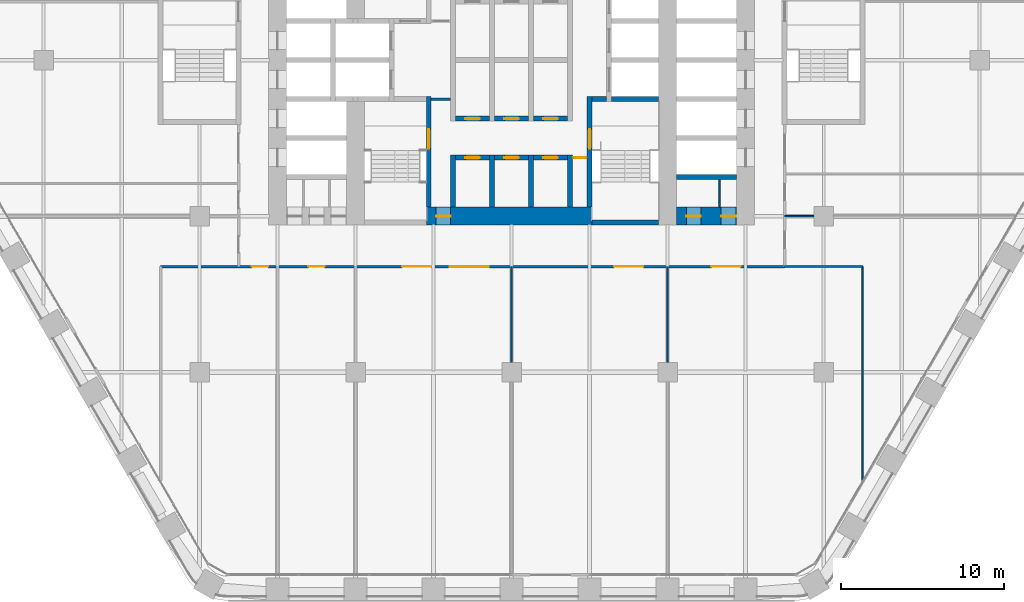
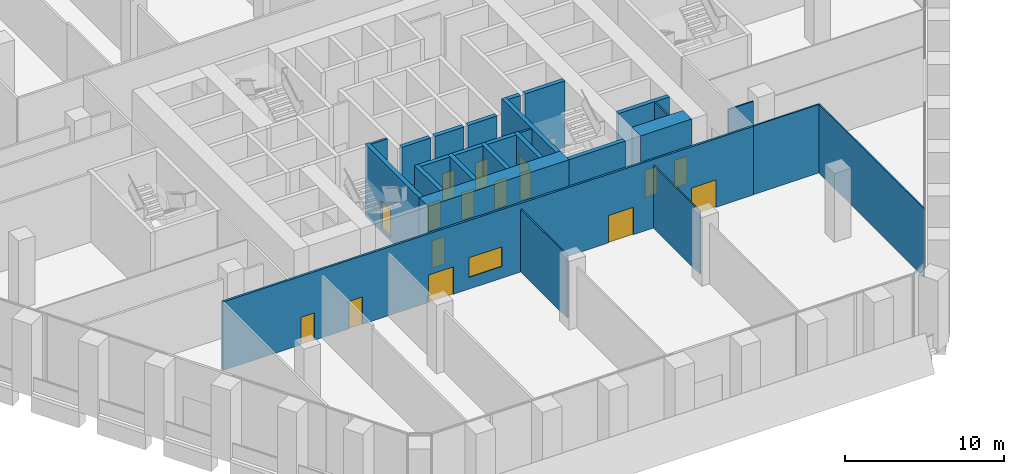
# One storey, part 18 of 29: 27 walls, 17 doors, 1 window, 18 openings.
"""IFC4 building model written with IfcOpenShell, lengths in metres."""

from ifc_helpers import new_model, si_unit, direction, frame, frame_2d, origin, place, context, subcontext, project, spatial, rectangle, extrude, material, layer, layer_set, type_object, element, fill, save


model = new_model("IFC4")

# Units and contexts
model_context = context("Model", 3, precision=1e-05, world=origin(), true_north=direction((0.0, 1.0)))
body_context = subcontext(model_context, "Body", "Model", "MODEL_VIEW")
ifc_project = project(units=[si_unit("LENGTHUNIT", "METRE"), si_unit("AREAUNIT", "SQUARE_METRE"), si_unit("VOLUMEUNIT", "CUBIC_METRE"), si_unit("PLANEANGLEUNIT", "RADIAN"), si_unit("MASSUNIT", "GRAM", prefix="KILO")], contexts=[model_context])

# Site, building, storey
site_placement = place(None, origin())
site = spatial("IfcSite", under=ifc_project, at=site_placement, CompositionType="ELEMENT")
building_placement = place(site_placement, origin())
building = spatial("IfcBuilding", under=site, at=building_placement, Name="Kolab Exchange Tower", CompositionType="ELEMENT")
storey_placement = place(building_placement, frame((0.0, 0.0, 33.39990234375)))
storey = spatial("IfcBuildingStorey", under=building, at=storey_placement, Name="L06", CompositionType="ELEMENT", Elevation=33.39990234375)

# Wall, opening, door
ifc_material_1 = material(Name="Concrete C80/95", Category="concrete")
ifc_layer_1 = layer(ifc_material_1, 1.10009765625)
ifc_layer_set_1 = layer_set([ifc_layer_1], Name="Concrete C80/95")
wall_type_1 = type_object("IfcWallType", Name="CORE WALL 1100 C80/95", PredefinedType="SHEAR", material=ifc_layer_set_1)
wall_1_placement = place(storey_placement, frame((-5.25, -9.60009765625, -0.25), z_axis=(0.0, 0.0, 1.0), x_axis=(1.0, 0.0, 0.0)))
wall_1 = element("IfcWall", 1, at=wall_1_placement, inside=storey, type_object=wall_type_1, Name="wall/L06/core/003", PredefinedType="SHEAR", context=body_context, shape_type="SweptSolid", body=[
    extrude(rectangle(XDim=10.199951171875, YDim=1.10009765625, at=frame_2d((5.10009765625, 0.0))), origin(), (0.0, 0.0, 1.0), 5.5),
])
opening_1_placement = place(wall_1_placement, frame((0.60009765625, 0.0, 0.25)))
opening_1 = element("IfcOpeningElement", 2, at=opening_1_placement, cuts=wall_1, Name="Opening D6-096", PredefinedType="OPENING", context=body_context, shape_type="SweptSolid", body=[
    extrude(rectangle(XDim=0.89990234375, YDim=2.10009765625, at=frame_2d((0.449951171875, 1.050048828125))), frame((0.0, 0.56005859375, 0.0), z_axis=(0.0, -1.0, 0.0), x_axis=(1.0, 0.0, 0.0)), (0.0, 0.0, 1.0), 1.1201171875),
])
ifc_material_2 = material(Name="Steel S235", Category="steel")
door_type_1 = type_object("IfcDoorType", Name="CORE DOOR 900 EI 120", OperationType="SINGLE_SWING_LEFT", PredefinedType="DOOR", material=ifc_material_2)
door_1_placement = place(opening_1_placement, origin())
door_1 = element("IfcDoor", 3, at=door_1_placement, inside=storey, type_object=door_type_1, Name="Core lobby door", OperationType="SINGLE_SWING_RIGHT", OverallHeight=2.10009765625, OverallWidth=0.89990234375, PredefinedType="DOOR", context=body_context, shape_type="SweptSolid", body=[
    extrude(rectangle(XDim=0.89990234375, YDim=2.10009765625, at=frame_2d((0.449951171875, 1.050048828125))), frame((0.0, 0.02490234375, 0.0), z_axis=(0.0, -1.0, 0.0), x_axis=(1.0, 0.0, 0.0)), (0.0, 0.0, 1.0), 0.050048828125),
])
fill(opening_1, door_1)

# Wall, openings, doors
wall_2_placement = place(storey_placement, frame((10.14990234375, -9.60009765625, -0.25), z_axis=(0.0, 0.0, 1.0), x_axis=(1.0, 0.0, 0.0)))
wall_2 = element("IfcWall", 4, at=wall_2_placement, inside=storey, type_object=wall_type_1, Name="wall/L06/core/004", PredefinedType="SHEAR", context=body_context, shape_type="SweptSolid", body=[
    extrude(rectangle(XDim=3.7001953125, YDim=1.10009765625, at=frame_2d((1.85009765625, 0.0))), origin(), (0.0, 0.0, 1.0), 5.5),
])
opening_2_placement = place(wall_2_placement, frame((0.60009765625, 0.0, 0.25)))
opening_2 = element("IfcOpeningElement", 5, at=opening_2_placement, cuts=wall_2, Name="Opening D6-110", PredefinedType="OPENING", context=body_context, shape_type="SweptSolid", body=[
    extrude(rectangle(XDim=0.89990234375, YDim=2.10009765625, at=frame_2d((0.449951171875, 1.050048828125))), frame((0.0, 0.56005859375, 0.0), z_axis=(0.0, -1.0, 0.0), x_axis=(1.0, 0.0, 0.0)), (0.0, 0.0, 1.0), 1.1201171875),
])
opening_3_placement = place(wall_2_placement, frame((2.75, 0.0, 0.25)))
opening_3 = element("IfcOpeningElement", 6, at=opening_3_placement, cuts=wall_2, Name="Opening D6-111", PredefinedType="OPENING", context=body_context, shape_type="SweptSolid", body=[
    extrude(rectangle(XDim=0.89990234375, YDim=2.10009765625, at=frame_2d((0.449951171875, 1.050048828125))), frame((0.0, 0.56005859375, 0.0), z_axis=(0.0, -1.0, 0.0), x_axis=(1.0, 0.0, 0.0)), (0.0, 0.0, 1.0), 1.1201171875),
])
door_2_placement = place(opening_2_placement, origin())
door_2 = element("IfcDoor", 7, at=door_2_placement, inside=storey, type_object=door_type_1, Name="Service room door", OperationType="SINGLE_SWING_RIGHT", OverallHeight=2.10009765625, OverallWidth=0.89990234375, PredefinedType="DOOR", context=body_context, shape_type="SweptSolid", body=[
    extrude(rectangle(XDim=0.89990234375, YDim=2.10009765625, at=frame_2d((0.449951171875, 1.050048828125))), frame((0.0, 0.02490234375, 0.0), z_axis=(0.0, -1.0, 0.0), x_axis=(1.0, 0.0, 0.0)), (0.0, 0.0, 1.0), 0.050048828125),
])
fill(opening_2, door_2)
door_3_placement = place(opening_3_placement, origin())
door_3 = element("IfcDoor", 8, at=door_3_placement, inside=storey, type_object=door_type_1, Name="Service room door", OperationType="SINGLE_SWING_LEFT", OverallHeight=2.10009765625, OverallWidth=0.89990234375, PredefinedType="DOOR", context=body_context, shape_type="SweptSolid", body=[
    extrude(rectangle(XDim=0.89990234375, YDim=2.10009765625, at=frame_2d((0.449951171875, 1.050048828125))), frame((0.0, 0.02490234375, 0.0), z_axis=(0.0, -1.0, 0.0), x_axis=(1.0, 0.0, 0.0)), (0.0, 0.0, 1.0), 0.050048828125),
])
fill(opening_3, door_3)

# Wall
ifc_material_3 = material(Name="Concrete C50/60", Category="concrete")
ifc_layer_2 = layer(ifc_material_3, 0.300048828125)
ifc_layer_set_2 = layer_set([ifc_layer_2], Name="Concrete C50/60")
wall_type_2 = type_object("IfcWallType", Name="LIFT SHAFT WALL 300 C50/60", PredefinedType="STANDARD", material=ifc_layer_set_2)
wall_3_placement = place(storey_placement, frame((10.14990234375, -7.199951171875, -0.25), z_axis=(0.0, 0.0, 1.0), x_axis=(1.0, 0.0, 0.0)))
element("IfcWall", 9, at=wall_3_placement, inside=storey, type_object=wall_type_2, Name="wall/L06/core/006", PredefinedType="STANDARD", context=body_context, shape_type="SweptSolid", body=[
    extrude(rectangle(XDim=3.7001953125, YDim=0.300048828125, at=frame_2d((1.85009765625, 0.0))), origin(), (0.0, 0.0, 1.0), 5.5),
])

# Wall, opening, door
wall_4_placement = place(storey_placement, frame((-3.449951171875, -6.0, -0.25), z_axis=(0.0, 0.0, 1.0), x_axis=(1.0, 0.0, 0.0)))
wall_4 = element("IfcWall", 10, at=wall_4_placement, inside=storey, type_object=wall_type_2, Name="wall/L06/core/007", PredefinedType="STANDARD", context=body_context, shape_type="SweptSolid", body=[
    extrude(rectangle(XDim=2.099853515625, YDim=0.300048828125, at=frame_2d((1.0498046875, 0.0))), origin(), (0.0, 0.0, 1.0), 5.5),
])
opening_4_placement = place(wall_4_placement, frame((0.60009765625, 0.0, 0.25)))
opening_4 = element("IfcOpeningElement", 11, at=opening_4_placement, cuts=wall_4, Name="Opening D6-095", PredefinedType="OPENING", context=body_context, shape_type="SweptSolid", body=[
    extrude(rectangle(XDim=0.89990234375, YDim=2.10009765625, at=frame_2d((0.449951171875, 1.050048828125))), frame((0.0, 0.16015625, 0.0), z_axis=(0.0, -1.0, 0.0), x_axis=(1.0, 0.0, 0.0)), (0.0, 0.0, 1.0), 0.320068359375),
])
door_4_placement = place(opening_4_placement, frame((0.89990234375, 0.0, 0.0), z_axis=(0.0, 0.0, 1.0), x_axis=(-1.0, 0.0, 0.0)))
door_4 = element("IfcDoor", 12, at=door_4_placement, inside=storey, type_object=door_type_1, Name="Service room door", OperationType="SINGLE_SWING_LEFT", OverallHeight=2.10009765625, OverallWidth=0.89990234375, PredefinedType="DOOR", context=body_context, shape_type="SweptSolid", body=[
    extrude(rectangle(XDim=0.89990234375, YDim=2.10009765625, at=frame_2d((0.449951171875, 1.050048828125))), frame((0.0, 0.02490234375, 0.0), z_axis=(0.0, -1.0, 0.0), x_axis=(1.0, 0.0, 0.0)), (0.0, 0.0, 1.0), 0.050048828125),
])
fill(opening_4, door_4)

wall_5_placement = place(storey_placement, frame((-1.050048828125, -6.0, -0.25), z_axis=(0.0, 0.0, 1.0), x_axis=(1.0, 0.0, 0.0)))
wall_5 = element("IfcWall", 13, at=wall_5_placement, inside=storey, type_object=wall_type_2, Name="wall/L06/core/008", PredefinedType="STANDARD", context=body_context, shape_type="SweptSolid", body=[
    extrude(rectangle(XDim=2.10009765625, YDim=0.300048828125, at=frame_2d((1.050048828125, 0.0))), origin(), (0.0, 0.0, 1.0), 5.5),
])
opening_5_placement = place(wall_5_placement, frame((0.60009765625, 0.0, 0.25)))
opening_5 = element("IfcOpeningElement", 14, at=opening_5_placement, cuts=wall_5, Name="Opening D6-094", PredefinedType="OPENING", context=body_context, shape_type="SweptSolid", body=[
    extrude(rectangle(XDim=0.89990234375, YDim=2.10009765625, at=frame_2d((0.449951171875, 1.050048828125))), frame((0.0, 0.16015625, 0.0), z_axis=(0.0, -1.0, 0.0), x_axis=(1.0, 0.0, 0.0)), (0.0, 0.0, 1.0), 0.320068359375),
])
door_5_placement = place(opening_5_placement, frame((0.89990234375, 0.0, 0.0), z_axis=(0.0, 0.0, 1.0), x_axis=(-1.0, 0.0, 0.0)))
door_5 = element("IfcDoor", 15, at=door_5_placement, inside=storey, type_object=door_type_1, Name="Service room door", OperationType="SINGLE_SWING_LEFT", OverallHeight=2.10009765625, OverallWidth=0.89990234375, PredefinedType="DOOR", context=body_context, shape_type="SweptSolid", body=[
    extrude(rectangle(XDim=0.89990234375, YDim=2.10009765625, at=frame_2d((0.449951171875, 1.050048828125))), frame((0.0, 0.02490234375, 0.0), z_axis=(0.0, -1.0, 0.0), x_axis=(1.0, 0.0, 0.0)), (0.0, 0.0, 1.0), 0.050048828125),
])
fill(opening_5, door_5)

wall_6_placement = place(storey_placement, frame((1.35009765625, -6.0, -0.25), z_axis=(0.0, 0.0, 1.0), x_axis=(1.0, 0.0, 0.0)))
wall_6 = element("IfcWall", 16, at=wall_6_placement, inside=storey, type_object=wall_type_2, Name="wall/L06/core/009", PredefinedType="STANDARD", context=body_context, shape_type="SweptSolid", body=[
    extrude(rectangle(XDim=2.099853515625, YDim=0.300048828125, at=frame_2d((1.0498046875, 0.0))), origin(), (0.0, 0.0, 1.0), 5.5),
])
opening_6_placement = place(wall_6_placement, frame((0.60009765625, 0.0, 0.25)))
opening_6 = element("IfcOpeningElement", 17, at=opening_6_placement, cuts=wall_6, Name="Opening D6-093", PredefinedType="OPENING", context=body_context, shape_type="SweptSolid", body=[
    extrude(rectangle(XDim=0.89990234375, YDim=2.10009765625, at=frame_2d((0.449951171875, 1.050048828125))), frame((0.0, 0.16015625, 0.0), z_axis=(0.0, -1.0, 0.0), x_axis=(1.0, 0.0, 0.0)), (0.0, 0.0, 1.0), 0.320068359375),
])
door_6_placement = place(opening_6_placement, frame((0.89990234375, 0.0, 0.0), z_axis=(0.0, 0.0, 1.0), x_axis=(-1.0, 0.0, 0.0)))
door_6 = element("IfcDoor", 18, at=door_6_placement, inside=storey, type_object=door_type_1, Name="Service room door", OperationType="SINGLE_SWING_RIGHT", OverallHeight=2.10009765625, OverallWidth=0.89990234375, PredefinedType="DOOR", context=body_context, shape_type="SweptSolid", body=[
    extrude(rectangle(XDim=0.89990234375, YDim=2.10009765625, at=frame_2d((0.449951171875, 1.050048828125))), frame((0.0, 0.02490234375, 0.0), z_axis=(0.0, -1.0, 0.0), x_axis=(1.0, 0.0, 0.0)), (0.0, 0.0, 1.0), 0.050048828125),
])
fill(opening_6, door_6)

wall_7_placement = place(storey_placement, frame((-3.449951171875, -3.60009765625, -0.25), z_axis=(0.0, 0.0, 1.0), x_axis=(1.0, 0.0, 0.0)))
wall_7 = element("IfcWall", 19, at=wall_7_placement, inside=storey, type_object=wall_type_2, Name="wall/L06/core/014", PredefinedType="STANDARD", context=body_context, shape_type="SweptSolid", body=[
    extrude(rectangle(XDim=2.099853515625, YDim=0.300048828125, at=frame_2d((1.0498046875, 0.0))), origin(), (0.0, 0.0, 1.0), 5.5),
])
opening_7_placement = place(wall_7_placement, frame((0.60009765625, 0.0, 0.25)))
opening_7 = element("IfcOpeningElement", 20, at=opening_7_placement, cuts=wall_7, Name="Opening D6-092", PredefinedType="OPENING", context=body_context, shape_type="SweptSolid", body=[
    extrude(rectangle(XDim=0.89990234375, YDim=2.10009765625, at=frame_2d((0.449951171875, 1.050048828125))), frame((0.0, 0.16015625, 0.0), z_axis=(0.0, -1.0, 0.0), x_axis=(1.0, 0.0, 0.0)), (0.0, 0.0, 1.0), 0.320068359375),
])
door_7_placement = place(opening_7_placement, origin())
door_7 = element("IfcDoor", 21, at=door_7_placement, inside=storey, type_object=door_type_1, Name="Service room door", OperationType="SINGLE_SWING_LEFT", OverallHeight=2.10009765625, OverallWidth=0.89990234375, PredefinedType="DOOR", context=body_context, shape_type="SweptSolid", body=[
    extrude(rectangle(XDim=0.89990234375, YDim=2.10009765625, at=frame_2d((0.449951171875, 1.050048828125))), frame((0.0, 0.02490234375, 0.0), z_axis=(0.0, -1.0, 0.0), x_axis=(1.0, 0.0, 0.0)), (0.0, 0.0, 1.0), 0.050048828125),
])
fill(opening_7, door_7)

wall_8_placement = place(storey_placement, frame((-1.050048828125, -3.60009765625, -0.25), z_axis=(0.0, 0.0, 1.0), x_axis=(1.0, 0.0, 0.0)))
wall_8 = element("IfcWall", 22, at=wall_8_placement, inside=storey, type_object=wall_type_2, Name="wall/L06/core/015", PredefinedType="STANDARD", context=body_context, shape_type="SweptSolid", body=[
    extrude(rectangle(XDim=2.10009765625, YDim=0.300048828125, at=frame_2d((1.050048828125, 0.0))), origin(), (0.0, 0.0, 1.0), 5.5),
])
opening_8_placement = place(wall_8_placement, frame((0.60009765625, 0.0, 0.25)))
opening_8 = element("IfcOpeningElement", 23, at=opening_8_placement, cuts=wall_8, Name="Opening D6-106", PredefinedType="OPENING", context=body_context, shape_type="SweptSolid", body=[
    extrude(rectangle(XDim=0.89990234375, YDim=2.10009765625, at=frame_2d((0.449951171875, 1.050048828125))), frame((0.0, 0.16015625, 0.0), z_axis=(0.0, -1.0, 0.0), x_axis=(1.0, 0.0, 0.0)), (0.0, 0.0, 1.0), 0.320068359375),
])
door_8_placement = place(opening_8_placement, origin())
door_8 = element("IfcDoor", 24, at=door_8_placement, inside=storey, type_object=door_type_1, Name="Service room door", OperationType="SINGLE_SWING_RIGHT", OverallHeight=2.10009765625, OverallWidth=0.89990234375, PredefinedType="DOOR", context=body_context, shape_type="SweptSolid", body=[
    extrude(rectangle(XDim=0.89990234375, YDim=2.10009765625, at=frame_2d((0.449951171875, 1.050048828125))), frame((0.0, 0.02490234375, 0.0), z_axis=(0.0, -1.0, 0.0), x_axis=(1.0, 0.0, 0.0)), (0.0, 0.0, 1.0), 0.050048828125),
])
fill(opening_8, door_8)

wall_9_placement = place(storey_placement, frame((1.35009765625, -3.60009765625, -0.25), z_axis=(0.0, 0.0, 1.0), x_axis=(1.0, 0.0, 0.0)))
wall_9 = element("IfcWall", 25, at=wall_9_placement, inside=storey, type_object=wall_type_2, Name="wall/L06/core/016", PredefinedType="STANDARD", context=body_context, shape_type="SweptSolid", body=[
    extrude(rectangle(XDim=2.099853515625, YDim=0.300048828125, at=frame_2d((1.0498046875, 0.0))), origin(), (0.0, 0.0, 1.0), 5.5),
])
opening_9_placement = place(wall_9_placement, frame((0.60009765625, 0.0, 0.25)))
opening_9 = element("IfcOpeningElement", 26, at=opening_9_placement, cuts=wall_9, Name="Opening D6-090", PredefinedType="OPENING", context=body_context, shape_type="SweptSolid", body=[
    extrude(rectangle(XDim=0.89990234375, YDim=2.10009765625, at=frame_2d((0.449951171875, 1.050048828125))), frame((0.0, 0.16015625, 0.0), z_axis=(0.0, -1.0, 0.0), x_axis=(1.0, 0.0, 0.0)), (0.0, 0.0, 1.0), 0.320068359375),
])
door_9_placement = place(opening_9_placement, origin())
door_9 = element("IfcDoor", 27, at=door_9_placement, inside=storey, type_object=door_type_1, Name="Service room door", OperationType="SINGLE_SWING_RIGHT", OverallHeight=2.10009765625, OverallWidth=0.89990234375, PredefinedType="DOOR", context=body_context, shape_type="SweptSolid", body=[
    extrude(rectangle(XDim=0.89990234375, YDim=2.10009765625, at=frame_2d((0.449951171875, 1.050048828125))), frame((0.0, 0.02490234375, 0.0), z_axis=(0.0, -1.0, 0.0), x_axis=(1.0, 0.0, 0.0)), (0.0, 0.0, 1.0), 0.050048828125),
])
fill(opening_9, door_9)

# Walls
for number, where, z_axis, x_axis, name in (
    (28, (-3.60009765625, -9.050048828125, -0.25), (0.0, 0.0, 1.0), (0.0, 1.0, 0.0), "wall/L06/core/066"),
    (29, (-1.199951171875, -9.050048828125, -0.25), (0.0, 0.0, 1.0), (0.0, 1.0, 0.0), "wall/L06/core/069"),
    (30, (1.199951171875, -9.050048828125, -0.25), (0.0, 0.0, 1.0), (0.0, 1.0, 0.0), "wall/L06/core/072"),
    (31, (3.60009765625, -9.050048828125, -0.25), (0.0, 0.0, 1.0), (0.0, 1.0, 0.0), "wall/L06/core/075"),
):
    element("IfcWall", number, at=place(storey_placement, frame(where, z_axis=z_axis, x_axis=x_axis)), inside=storey, type_object=wall_type_2, Name=name, PredefinedType="STANDARD", context=body_context, shape_type="SweptSolid", body=[
        extrude(rectangle(XDim=3.199951171875, YDim=0.300048828125, at=frame_2d((1.60009765625, 0.0))), origin(), (0.0, 0.0, 1.0), 5.5),
    ])
ifc_material_4 = material(Name="Gypsum board", Category="gypsum")
ifc_layer_3 = layer(ifc_material_4, 0.10009765625)
ifc_layer_set_3 = layer_set([ifc_layer_3], Name="Gypsum board")
wall_type_3 = type_object("IfcWallType", Name="PARTITION 100", PredefinedType="PARTITIONING", material=ifc_layer_set_3)
wall_10_placement = place(storey_placement, frame((21.60009765625, -25.8583984375, 0.0), z_axis=(0.0, 0.0, 1.0), x_axis=(0.0, 1.0, 0.0)))
element("IfcWall", 32, at=wall_10_placement, inside=storey, type_object=wall_type_3, Name="Partition 000", PredefinedType="PARTITIONING", context=body_context, shape_type="SweptSolid", body=[
    extrude(rectangle(XDim=13.158447265625, YDim=0.10009765625, at=frame_2d((6.5791015625, 0.0))), origin(), (0.0, 0.0, 1.0), 5.25),
])
wall_11_placement = place(storey_placement, frame((12.800048828125, -9.050048828125, 0.0), z_axis=(0.0, 0.0, 1.0), x_axis=(0.0, 1.0, 0.0)))
element("IfcWall", 33, at=wall_11_placement, inside=storey, type_object=wall_type_3, Name="Partition 005", PredefinedType="PARTITIONING", context=body_context, shape_type="SweptSolid", body=[
    extrude(rectangle(XDim=1.699951171875, YDim=0.10009765625, at=frame_2d((0.85009765625, 0.0))), origin(), (0.0, 0.0, 1.0), 5.25),
])
for number, where, z_axis, x_axis, name in (
    (34, (9.60009765625, -18.60009765625, 0.0), (0.0, 0.0, 1.0), (0.0, 1.0, 0.0), "Partition 007"),
    (35, (0.0, -18.60009765625, 0.0), (0.0, 0.0, 1.0), (0.0, 1.0, 0.0), "Partition 014"),
):
    element("IfcWall", number, at=place(storey_placement, frame(where, z_axis=z_axis, x_axis=x_axis)), inside=storey, type_object=wall_type_3, Name=name, PredefinedType="PARTITIONING", context=body_context, shape_type="SweptSolid", body=[
        extrude(rectangle(XDim=5.900146484375, YDim=0.10009765625, at=frame_2d((2.9501953125, 0.0))), origin(), (0.0, 0.0, 1.0), 4.793212890625),
    ])
wall_12_placement = place(storey_placement, frame((16.800048828125, -12.699951171875, 0.0), z_axis=(0.0, 0.0, 1.0), x_axis=(1.0, 0.0, 0.0)))
element("IfcWall", 36, at=wall_12_placement, inside=storey, type_object=wall_type_3, Name="Partition 030", PredefinedType="PARTITIONING", context=body_context, shape_type="SweptSolid", body=[
    extrude(rectangle(XDim=4.800048828125, YDim=0.10009765625, at=frame_2d((2.39990234375, 0.0))), origin(), (0.0, 0.0, 1.0), 5.25),
])
wall_13_placement = place(storey_placement, frame((16.800048828125, -9.60009765625, 0.0), z_axis=(0.0, 0.0, 1.0), x_axis=(1.0, 0.0, 0.0)))
element("IfcWall", 37, at=wall_13_placement, inside=storey, type_object=wall_type_3, Name="Partition 032", PredefinedType="PARTITIONING", context=body_context, shape_type="SweptSolid", body=[
    extrude(rectangle(XDim=1.800048828125, YDim=0.10009765625, at=frame_2d((0.89990234375, 0.0))), origin(), (0.0, 0.0, 1.0), 4.64208984375),
])

# Wall, openings, doors, window
ifc_layer_4 = layer(ifc_material_4, 0.14990234375)
ifc_layer_set_4 = layer_set([ifc_layer_4], Name="Gypsum board")
wall_type_4 = type_object("IfcWallType", Name="PARTITION 150 FIRE-RATED", PredefinedType="PARTITIONING", material=ifc_layer_set_4)
wall_14_placement = place(storey_placement, frame((-21.60009765625, -12.699951171875, 0.0), z_axis=(0.0, 0.0, 1.0), x_axis=(1.0, 0.0, 0.0)))
wall_14 = element("IfcWall", 38, at=wall_14_placement, inside=storey, type_object=wall_type_4, Name="Partition 031", PredefinedType="PARTITIONING", context=body_context, shape_type="SweptSolid", body=[
    extrude(rectangle(XDim=38.400146484375, YDim=0.14990234375, at=frame_2d((19.2001953125, 0.0))), origin(), (0.0, 0.0, 1.0), 5.25),
])
opening_10_placement = place(wall_14_placement, frame((5.625, 0.0, 0.0)))
opening_10 = element("IfcOpeningElement", 39, at=opening_10_placement, cuts=wall_14, Name="Opening D1-083", PredefinedType="OPENING", context=body_context, shape_type="SweptSolid", body=[
    extrude(rectangle(XDim=1.0, YDim=2.10009765625, at=frame_2d((0.5, 1.050048828125))), frame((0.0, 0.0849609375, 0.0), z_axis=(0.0, -1.0, 0.0), x_axis=(1.0, 0.0, 0.0)), (0.0, 0.0, 1.0), 0.169921875),
])
opening_11_placement = place(wall_14_placement, frame((9.10009765625, 0.0, 0.0)))
opening_11 = element("IfcOpeningElement", 40, at=opening_11_placement, cuts=wall_14, Name="Opening D1-072", PredefinedType="OPENING", context=body_context, shape_type="SweptSolid", body=[
    extrude(rectangle(XDim=1.0, YDim=2.10009765625, at=frame_2d((0.5, 1.050048828125))), frame((0.0, 0.0849609375, 0.0), z_axis=(0.0, -1.0, 0.0), x_axis=(1.0, 0.0, 0.0)), (0.0, 0.0, 1.0), 0.169921875),
])
opening_12_placement = place(wall_14_placement, frame((14.864990234375, 0.0, 0.0)))
opening_12 = element("IfcOpeningElement", 41, at=opening_12_placement, cuts=wall_14, Name="Opening D2-016", PredefinedType="OPENING", context=body_context, shape_type="SweptSolid", body=[
    extrude(rectangle(XDim=1.800048828125, YDim=2.10009765625, at=frame_2d((0.89990234375, 1.050048828125))), frame((0.0, 0.0849609375, 0.0), z_axis=(0.0, -1.0, 0.0), x_axis=(1.0, 0.0, 0.0)), (0.0, 0.0, 1.0), 0.169921875),
])
opening_13_placement = place(wall_14_placement, frame((27.9150390625, 0.0, 0.0)))
opening_13 = element("IfcOpeningElement", 42, at=opening_13_placement, cuts=wall_14, Name="Opening D2-011", PredefinedType="OPENING", context=body_context, shape_type="SweptSolid", body=[
    extrude(rectangle(XDim=1.800048828125, YDim=2.10009765625, at=frame_2d((0.89990234375, 1.050048828125))), frame((0.0, 0.0849609375, 0.0), z_axis=(0.0, -1.0, 0.0), x_axis=(1.0, 0.0, 0.0)), (0.0, 0.0, 1.0), 0.169921875),
])
opening_14_placement = place(wall_14_placement, frame((33.89990234375, 0.0, 0.0)))
opening_14 = element("IfcOpeningElement", 43, at=opening_14_placement, cuts=wall_14, Name="Opening D2-017", PredefinedType="OPENING", context=body_context, shape_type="SweptSolid", body=[
    extrude(rectangle(XDim=1.800048828125, YDim=2.10009765625, at=frame_2d((0.89990234375, 1.050048828125))), frame((0.0, 0.0849609375, 0.0), z_axis=(0.0, -1.0, 0.0), x_axis=(1.0, 0.0, 0.0)), (0.0, 0.0, 1.0), 0.169921875),
])
opening_15_placement = place(wall_14_placement, frame((17.800048828125, 0.0, 0.89990234375)))
opening_15 = element("IfcOpeningElement", 44, at=opening_15_placement, cuts=wall_14, Name="Opening W2-001", PredefinedType="OPENING", context=body_context, shape_type="SweptSolid", body=[
    extrude(rectangle(XDim=2.39990234375, YDim=1.5, at=frame_2d((1.199951171875, 0.75))), frame((0.0, 0.0849609375, 0.0), z_axis=(0.0, -1.0, 0.0), x_axis=(1.0, 0.0, 0.0)), (0.0, 0.0, 1.0), 0.169921875),
])
door_type_2 = type_object("IfcDoorType", Name="DOUBLE DOOR 1800 FD60", OperationType="DOUBLE_DOOR_SINGLE_SWING", PredefinedType="DOOR", material=ifc_material_2)
door_10_placement = place(opening_12_placement, frame((1.800048828125, 0.0, 0.0), z_axis=(0.0, 0.0, 1.0), x_axis=(-1.0, 0.0, 0.0)))
door_10 = element("IfcDoor", 45, at=door_10_placement, inside=storey, type_object=door_type_2, Name="Door L06-057", OperationType="SINGLE_SWING_LEFT", OverallHeight=2.10009765625, OverallWidth=1.800048828125, PredefinedType="DOOR", context=body_context, shape_type="SweptSolid", body=[
    extrude(rectangle(XDim=1.800048828125, YDim=2.10009765625, at=frame_2d((0.89990234375, 1.050048828125))), frame((0.0, 0.02490234375, 0.0), z_axis=(0.0, -1.0, 0.0), x_axis=(1.0, 0.0, 0.0)), (0.0, 0.0, 1.0), 0.050048828125),
])
fill(opening_12, door_10)
door_11_placement = place(opening_13_placement, frame((1.800048828125, 0.0, 0.0), z_axis=(0.0, 0.0, 1.0), x_axis=(-1.0, 0.0, 0.0)))
door_11 = element("IfcDoor", 46, at=door_11_placement, inside=storey, type_object=door_type_2, Name="Door L06-058", OperationType="SINGLE_SWING_RIGHT", OverallHeight=2.10009765625, OverallWidth=1.800048828125, PredefinedType="DOOR", context=body_context, shape_type="SweptSolid", body=[
    extrude(rectangle(XDim=1.800048828125, YDim=2.10009765625, at=frame_2d((0.89990234375, 1.050048828125))), frame((0.0, 0.02490234375, 0.0), z_axis=(0.0, -1.0, 0.0), x_axis=(1.0, 0.0, 0.0)), (0.0, 0.0, 1.0), 0.050048828125),
])
fill(opening_13, door_11)
door_12_placement = place(opening_14_placement, frame((1.800048828125, 0.0, 0.0), z_axis=(0.0, 0.0, 1.0), x_axis=(-1.0, 0.0, 0.0)))
door_12 = element("IfcDoor", 47, at=door_12_placement, inside=storey, type_object=door_type_2, Name="Door L06-059", OperationType="SINGLE_SWING_LEFT", OverallHeight=2.10009765625, OverallWidth=1.800048828125, PredefinedType="DOOR", context=body_context, shape_type="SweptSolid", body=[
    extrude(rectangle(XDim=1.800048828125, YDim=2.10009765625, at=frame_2d((0.89990234375, 1.050048828125))), frame((0.0, 0.02490234375, 0.0), z_axis=(0.0, -1.0, 0.0), x_axis=(1.0, 0.0, 0.0)), (0.0, 0.0, 1.0), 0.050048828125),
])
fill(opening_14, door_12)
door_type_3 = type_object("IfcDoorType", Name="FLUSH DOOR 1000 FD60", OperationType="SINGLE_SWING_LEFT", PredefinedType="DOOR", material=ifc_material_2)
door_13_placement = place(opening_10_placement, frame((1.0, 0.0, 0.0), z_axis=(0.0, 0.0, 1.0), x_axis=(-1.0, 0.0, 0.0)))
door_13 = element("IfcDoor", 48, at=door_13_placement, inside=storey, type_object=door_type_3, Name="Door L06-055", OperationType="SINGLE_SWING_RIGHT", OverallHeight=2.10009765625, OverallWidth=1.0, PredefinedType="DOOR", context=body_context, shape_type="SweptSolid", body=[
    extrude(rectangle(XDim=1.0, YDim=2.10009765625, at=frame_2d((0.5, 1.050048828125))), frame((0.0, 0.02490234375, 0.0), z_axis=(0.0, -1.0, 0.0), x_axis=(1.0, 0.0, 0.0)), (0.0, 0.0, 1.0), 0.050048828125),
])
fill(opening_10, door_13)
door_14_placement = place(opening_11_placement, frame((1.0, 0.0, 0.0), z_axis=(0.0, 0.0, 1.0), x_axis=(-1.0, 0.0, 0.0)))
door_14 = element("IfcDoor", 49, at=door_14_placement, inside=storey, type_object=door_type_3, Name="Door L06-056", OperationType="SINGLE_SWING_LEFT", OverallHeight=2.10009765625, OverallWidth=1.0, PredefinedType="DOOR", context=body_context, shape_type="SweptSolid", body=[
    extrude(rectangle(XDim=1.0, YDim=2.10009765625, at=frame_2d((0.5, 1.050048828125))), frame((0.0, 0.02490234375, 0.0), z_axis=(0.0, -1.0, 0.0), x_axis=(1.0, 0.0, 0.0)), (0.0, 0.0, 1.0), 0.050048828125),
])
fill(opening_11, door_14)
ifc_material_5 = material(Name="Fire-rated glazing", Category="glass")
window_type = type_object("IfcWindowType", Name="VIEWING WINDOW 2400 X 1500 EI 60", PartitioningType="SINGLE_PANEL", PredefinedType="WINDOW", material=ifc_material_5)
window_placement = place(opening_15_placement, origin())
window = element("IfcWindow", 50, at=window_placement, inside=storey, type_object=window_type, Name="Viewing window L06-1", OverallHeight=1.5, OverallWidth=2.39990234375, PartitioningType="SINGLE_PANEL", PredefinedType="WINDOW", context=body_context, shape_type="SweptSolid", body=[
    extrude(rectangle(XDim=2.39990234375, YDim=1.5, at=frame_2d((1.199951171875, 0.75))), frame((0.0, 0.030029296875, 0.0), z_axis=(0.0, -1.0, 0.0), x_axis=(1.0, 0.0, 0.0)), (0.0, 0.0, 1.0), 0.06005859375),
])
fill(opening_15, window)

# Wall, opening, door
wall_15_placement = place(storey_placement, frame((3.75, -6.0, 0.0), z_axis=(0.0, 0.0, 1.0), x_axis=(1.0, 0.0, 0.0)))
wall_15 = element("IfcWall", 51, at=wall_15_placement, inside=storey, type_object=wall_type_4, Name="Partition 038", PredefinedType="PARTITIONING", context=body_context, shape_type="SweptSolid", body=[
    extrude(rectangle(XDim=0.89990234375, YDim=0.14990234375, at=frame_2d((0.449951171875, 0.0))), origin(), (0.0, 0.0, 1.0), 5.25),
])
opening_16_placement = place(wall_15_placement, frame((0.050048828125, 0.0, 0.0)))
opening_16 = element("IfcOpeningElement", 52, at=opening_16_placement, cuts=wall_15, Name="Opening D7-010", PredefinedType="OPENING", context=body_context, shape_type="SweptSolid", body=[
    extrude(rectangle(XDim=0.800048828125, YDim=2.10009765625, at=frame_2d((0.39990234375, 1.050048828125))), frame((0.0, 0.0849609375, 0.0), z_axis=(0.0, -1.0, 0.0), x_axis=(1.0, 0.0, 0.0)), (0.0, 0.0, 1.0), 0.169921875),
])
door_type_4 = type_object("IfcDoorType", Name="FLUSH DOOR 800 FD60", OperationType="SINGLE_SWING_LEFT", PredefinedType="DOOR", material=ifc_material_2)
door_15_placement = place(opening_16_placement, frame((0.800048828125, 0.0, 0.0), z_axis=(0.0, 0.0, 1.0), x_axis=(-1.0, 0.0, 0.0)))
door_15 = element("IfcDoor", 53, at=door_15_placement, inside=storey, type_object=door_type_4, Name="Door L06-042", OperationType="SINGLE_SWING_RIGHT", OverallHeight=2.10009765625, OverallWidth=0.800048828125, PredefinedType="DOOR", context=body_context, shape_type="SweptSolid", body=[
    extrude(rectangle(XDim=0.800048828125, YDim=2.10009765625, at=frame_2d((0.39990234375, 1.050048828125))), frame((0.0, 0.02490234375, 0.0), z_axis=(0.0, -1.0, 0.0), x_axis=(1.0, 0.0, 0.0)), (0.0, 0.0, 1.0), 0.050048828125),
])
fill(opening_16, door_15)

# Walls
wall_16_placement = place(storey_placement, frame((-4.949951171875, -2.39990234375, 0.0), z_axis=(0.0, 0.0, 1.0), x_axis=(1.0, 0.0, 0.0)))
element("IfcWall", 54, at=wall_16_placement, inside=storey, type_object=wall_type_4, Name="Fire partition", PredefinedType="PARTITIONING", context=body_context, shape_type="SweptSolid", body=[
    extrude(rectangle(XDim=1.199951171875, YDim=0.14990234375, at=frame_2d((0.60009765625, 0.0))), origin(), (0.0, 0.0, 1.0), 5.25),
])
ifc_layer_5 = layer(ifc_material_3, 0.300048828125)
ifc_layer_set_5 = layer_set([ifc_layer_5], Name="Concrete C50/60")
wall_type_5 = type_object("IfcWallType", Name="STAIR ENCLOSURE WALL 300 C50/60", PredefinedType="STANDARD", material=ifc_layer_set_5)
wall_17_placement = place(storey_placement, frame((4.949951171875, -10.0, -0.25), z_axis=(0.0, 0.0, 1.0), x_axis=(1.0, 0.0, 0.0)))
element("IfcWall", 55, at=wall_17_placement, inside=storey, type_object=wall_type_5, Name="wall/L06/core/001", PredefinedType="STANDARD", context=body_context, shape_type="SweptSolid", body=[
    extrude(rectangle(XDim=4.10009765625, YDim=0.300048828125, at=frame_2d((2.050048828125, 0.0))), origin(), (0.0, 0.0, 1.0), 5.5),
])
wall_18_placement = place(storey_placement, frame((4.949951171875, -2.39990234375, -0.25), z_axis=(0.0, 0.0, 1.0), x_axis=(1.0, 0.0, 0.0)))
element("IfcWall", 56, at=wall_18_placement, inside=storey, type_object=wall_type_5, Name="wall/L06/core/021", PredefinedType="STANDARD", context=body_context, shape_type="SweptSolid", body=[
    extrude(rectangle(XDim=0.900146484375, YDim=0.300048828125, at=frame_2d((0.4501953125, 0.0))), origin(), (0.0, 0.0, 1.0), 5.5),
])
wall_19_placement = place(storey_placement, frame((6.14990234375, -2.39990234375, -0.25), z_axis=(0.0, 0.0, 1.0), x_axis=(1.0, 0.0, 0.0)))
element("IfcWall", 57, at=wall_19_placement, inside=storey, type_object=wall_type_5, Name="wall/L06/core/022", PredefinedType="STANDARD", context=body_context, shape_type="SweptSolid", body=[
    extrude(rectangle(XDim=2.900146484375, YDim=0.300048828125, at=frame_2d((1.4501953125, 0.0))), origin(), (0.0, 0.0, 1.0), 5.5),
])

# Wall, opening, door
wall_20_placement = place(storey_placement, frame((-5.10009765625, -9.050048828125, -0.25), z_axis=(0.0, 0.0, 1.0), x_axis=(0.0, 1.0, 0.0)))
wall_20 = element("IfcWall", 58, at=wall_20_placement, inside=storey, type_object=wall_type_5, Name="wall/L06/core/064", PredefinedType="STANDARD", context=body_context, shape_type="SweptSolid", body=[
    extrude(rectangle(XDim=6.800048828125, YDim=0.300048828125, at=frame_2d((3.39990234375, 0.0))), origin(), (0.0, 0.0, 1.0), 5.5),
])
opening_17_placement = place(wall_20_placement, frame((3.60009765625, 0.0, 0.25)))
opening_17 = element("IfcOpeningElement", 59, at=opening_17_placement, cuts=wall_20, Name="Opening D4-022", PredefinedType="OPENING", context=body_context, shape_type="SweptSolid", body=[
    extrude(rectangle(XDim=1.199951171875, YDim=2.10009765625, at=frame_2d((0.60009765625, 1.050048828125))), frame((0.0, 0.16015625, 0.0), z_axis=(0.0, -1.0, 0.0), x_axis=(1.0, 0.0, 0.0)), (0.0, 0.0, 1.0), 0.320068359375),
])
door_type_5 = type_object("IfcDoorType", Name="STAIR DOOR 1200 EI 120", OperationType="SINGLE_SWING_LEFT", PredefinedType="DOOR", material=ifc_material_2)
door_16_placement = place(opening_17_placement, origin())
door_16 = element("IfcDoor", 60, at=door_16_placement, inside=storey, type_object=door_type_5, Name="Stair 3 door", OperationType="SINGLE_SWING_RIGHT", OverallHeight=2.10009765625, OverallWidth=1.199951171875, PredefinedType="DOOR", context=body_context, shape_type="SweptSolid", body=[
    extrude(rectangle(XDim=1.199951171875, YDim=2.10009765625, at=frame_2d((0.60009765625, 1.050048828125))), frame((0.0, 0.02490234375, 0.0), z_axis=(0.0, -1.0, 0.0), x_axis=(1.0, 0.0, 0.0)), (0.0, 0.0, 1.0), 0.050048828125),
])
fill(opening_17, door_16)

wall_21_placement = place(storey_placement, frame((4.800048828125, -9.050048828125, -0.25), z_axis=(0.0, 0.0, 1.0), x_axis=(0.0, 1.0, 0.0)))
wall_21 = element("IfcWall", 61, at=wall_21_placement, inside=storey, type_object=wall_type_5, Name="wall/L06/core/078", PredefinedType="STANDARD", context=body_context, shape_type="SweptSolid", body=[
    extrude(rectangle(XDim=6.800048828125, YDim=0.300048828125, at=frame_2d((3.39990234375, 0.0))), origin(), (0.0, 0.0, 1.0), 5.5),
])
opening_18_placement = place(wall_21_placement, frame((3.60009765625, 0.0, 0.25)))
opening_18 = element("IfcOpeningElement", 62, at=opening_18_placement, cuts=wall_21, Name="Opening D4-021", PredefinedType="OPENING", context=body_context, shape_type="SweptSolid", body=[
    extrude(rectangle(XDim=1.199951171875, YDim=2.10009765625, at=frame_2d((0.60009765625, 1.050048828125))), frame((0.0, 0.16015625, 0.0), z_axis=(0.0, -1.0, 0.0), x_axis=(1.0, 0.0, 0.0)), (0.0, 0.0, 1.0), 0.320068359375),
])
door_17_placement = place(opening_18_placement, frame((1.199951171875, 0.0, 0.0), z_axis=(0.0, 0.0, 1.0), x_axis=(-1.0, 0.0, 0.0)))
door_17 = element("IfcDoor", 63, at=door_17_placement, inside=storey, type_object=door_type_5, Name="Stair 2 door", OperationType="SINGLE_SWING_RIGHT", OverallHeight=2.10009765625, OverallWidth=1.199951171875, PredefinedType="DOOR", context=body_context, shape_type="SweptSolid", body=[
    extrude(rectangle(XDim=1.199951171875, YDim=2.10009765625, at=frame_2d((0.60009765625, 1.050048828125))), frame((0.0, 0.02490234375, 0.0), z_axis=(0.0, -1.0, 0.0), x_axis=(1.0, 0.0, 0.0)), (0.0, 0.0, 1.0), 0.050048828125),
])
fill(opening_18, door_17)

save(model, "model.ifc")
